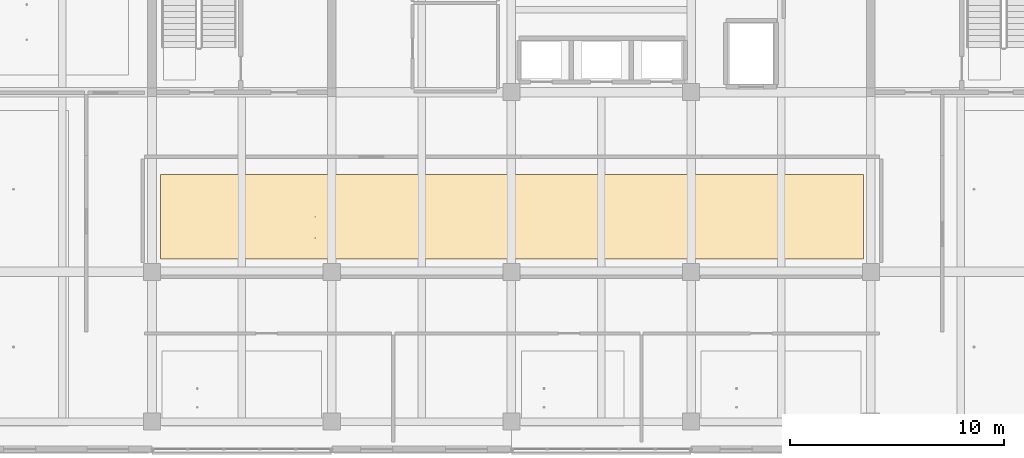
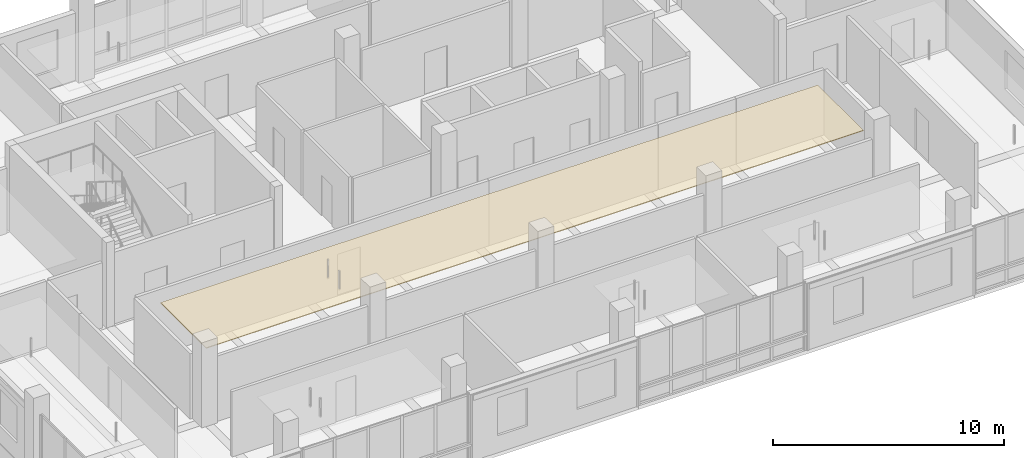
# One storey, part 25 of 34: 1 covering.
"""IFC4 building model written with IfcOpenShell, lengths in metres."""

from ifc_helpers import new_model, si_unit, direction, frame, origin, place, context, subcontext, project, spatial, polyline, outline, extrude, material, layer, layer_set, type_object, element, save


model = new_model("IFC4")

# Units and contexts
model_context = context("Model", 3, precision=1e-05, world=origin(), true_north=direction((0.0, 1.0)))
body_context = subcontext(model_context, "Body", "Model", "MODEL_VIEW")
ifc_project = project(units=[si_unit("LENGTHUNIT", "METRE"), si_unit("AREAUNIT", "SQUARE_METRE"), si_unit("VOLUMEUNIT", "CUBIC_METRE"), si_unit("PLANEANGLEUNIT", "RADIAN"), si_unit("MASSUNIT", "GRAM", prefix="KILO")], contexts=[model_context])

# Site, building, storey
site_placement = place(None, origin())
site = spatial("IfcSite", under=ifc_project, at=site_placement, CompositionType="ELEMENT")
building_placement = place(site_placement, origin())
building = spatial("IfcBuilding", under=site, at=building_placement, Name="Telukmera Botanical Conservatory", CompositionType="ELEMENT")
storey_placement = place(building_placement, frame((0.0, 0.0, 37.5)))
storey = spatial("IfcBuildingStorey", under=building, at=storey_placement, Name="L08", CompositionType="ELEMENT", Elevation=37.5)

# Covering
ifc_material = material(Name="Perforated gypsum acoustic ceiling")
ifc_layer = layer(ifc_material, 0.0400390625)
ifc_layer_set = layer_set([ifc_layer], Name="Perforated gypsum acoustic ceiling")
covering_type = type_object("IfcCoveringType", Name="COV-CEIL-40", PredefinedType="CEILING", material=ifc_layer_set)
covering_placement = place(storey_placement, frame((0.0, 0.0, 3.31005859375)))
element("IfcCovering", 1, at=covering_placement, inside=storey, type_object=covering_type, Name="L08 Research Laboratory Suspended Acoustic Ceiling", PredefinedType="CEILING", context=body_context, shape_type="SweptSolid", body=[
    extrude(outline(polyline([(59.199951171875, 18.199951171875), (92.050048828125, 18.199951171875), (92.050048828125, 22.14990234375), (59.199951171875, 22.14990234375), (59.199951171875, 18.199951171875)])), origin(), (0.0, 0.0, 1.0), 0.0400390625),
])

save(model, "model.ifc")
